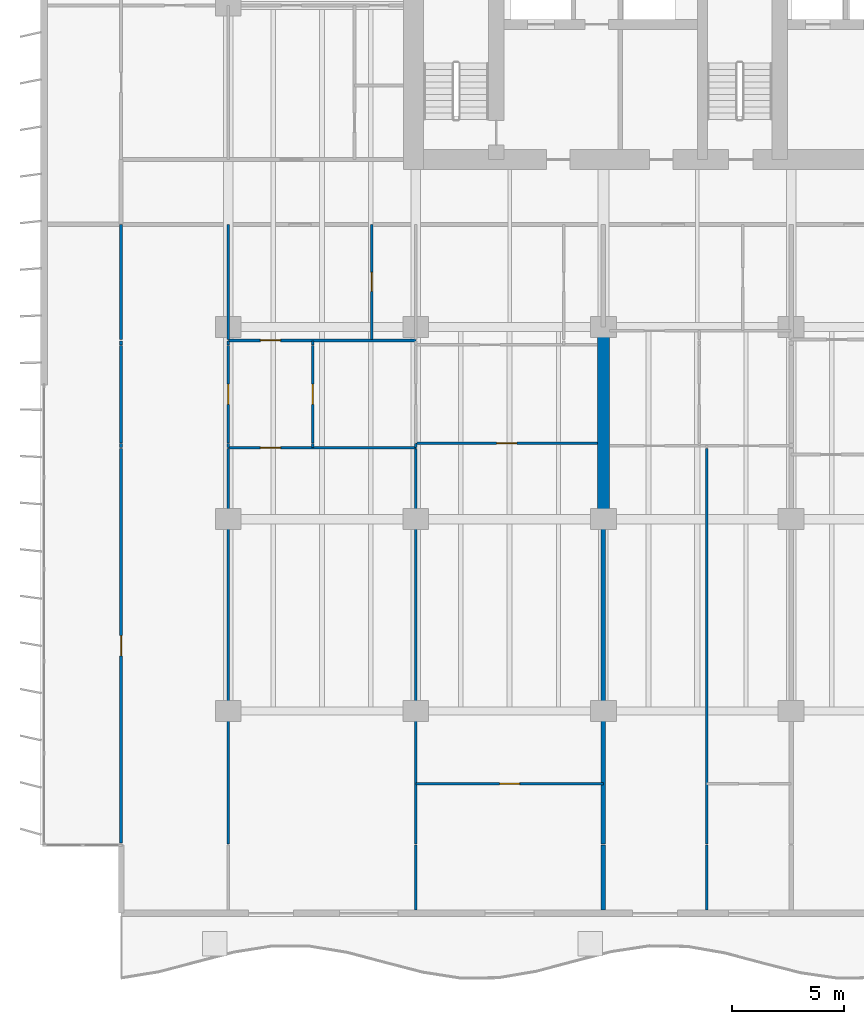
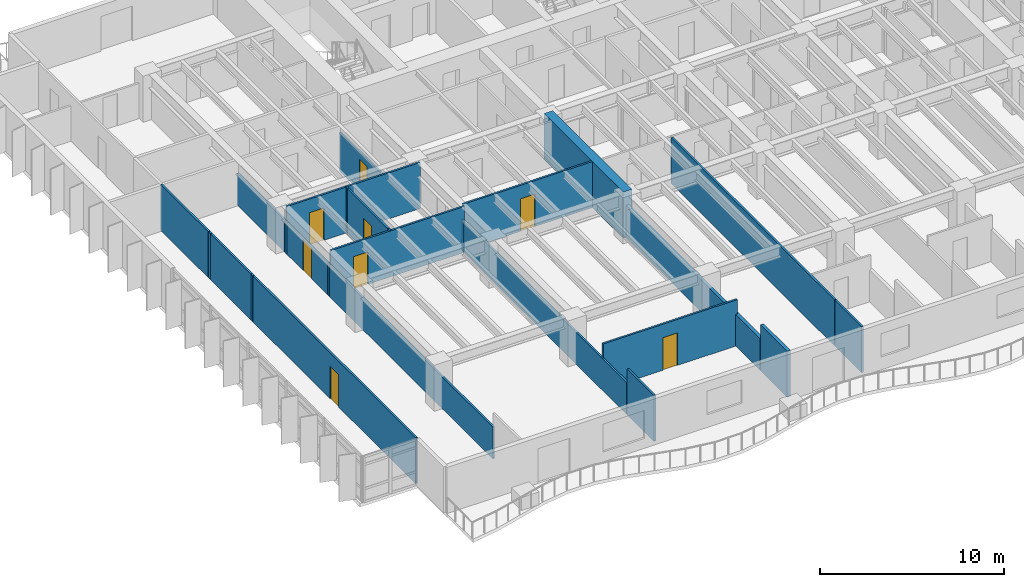
# One storey, part 6 of 18: 26 walls, 8 doors, 8 openings.
"""IFC4 building model written with IfcOpenShell, lengths in metres."""

from ifc_helpers import new_model, si_unit, direction, frame, frame_2d, origin, place, context, subcontext, project, spatial, rectangle, extrude, material, layer, layer_set, type_object, element, fill, save


model = new_model("IFC4")

# Units and contexts
model_context = context("Model", 3, precision=1e-05, world=origin(), true_north=direction((0.0, 1.0)))
body_context = subcontext(model_context, "Body", "Model", "MODEL_VIEW")
ifc_project = project(units=[si_unit("LENGTHUNIT", "METRE"), si_unit("AREAUNIT", "SQUARE_METRE"), si_unit("VOLUMEUNIT", "CUBIC_METRE"), si_unit("PLANEANGLEUNIT", "RADIAN"), si_unit("MASSUNIT", "GRAM", prefix="KILO")], contexts=[model_context])

# Site, building, storey
site_placement = place(None, origin())
site = spatial("IfcSite", under=ifc_project, at=site_placement, CompositionType="ELEMENT")
building_placement = place(site_placement, origin())
building = spatial("IfcBuilding", under=site, at=building_placement, Name="Caelmar Bay Residences", CompositionType="ELEMENT")
storey_placement = place(building_placement, frame((0.0, 0.0, 39.89990234375)))
storey = spatial("IfcBuildingStorey", under=building, at=storey_placement, Name="L09", CompositionType="ELEMENT", Elevation=39.89990234375)

# Wall
ifc_material_1 = material(Name="Concrete f'c 70 MPa (10,000 psi)", Category="concrete")
ifc_layer_1 = layer(ifc_material_1, 0.550048828125)
ifc_layer_set_1 = layer_set([ifc_layer_1], Name="Concrete f'c 70 MPa (10,000 psi)")
wall_type_1 = type_object("IfcWallType", Name="SW-XSLB-550", PredefinedType="SHEAR", material=ifc_layer_set_1)
wall_1_placement = place(storey_placement, frame((26.699951171875, 20.800048828125, 0.0), z_axis=(0.0, 0.0, 1.0), x_axis=(0.0, 1.0, 0.0)))
element("IfcWall", 1, at=wall_1_placement, inside=storey, type_object=wall_type_1, Name="L09 Transverse Cross-Slab Shear Wall W5", PredefinedType="SHEAR", context=body_context, shape_type="SweptSolid", body=[
    extrude(rectangle(XDim=8.599853515625, YDim=0.550048828125, at=frame_2d((4.2998046875, 0.0))), origin(), (0.0, 0.0, 1.0), 3.050048828125),
])

# Wall, opening, door
ifc_material_2 = material(Name="Acoustic metal-stud gypsum partition 120 mm")
ifc_layer_2 = layer(ifc_material_2, 0.1201171875)
ifc_layer_set_2 = layer_set([ifc_layer_2], Name="Acoustic metal-stud gypsum partition 120 mm")
wall_type_2 = type_object("IfcWallType", Name="W-PRT-120", PredefinedType="PARTITIONING", material=ifc_layer_set_2)
wall_2_placement = place(storey_placement, frame((5.10009765625, 6.284912109375, 0.0), z_axis=(0.0, 0.0, 1.0), x_axis=(0.0, 1.0, 0.0)))
wall_2 = element("IfcWall", 2, at=wall_2_placement, inside=storey, type_object=wall_type_2, Name="L09 Partition Wall V001", PredefinedType="PARTITIONING", context=body_context, shape_type="SweptSolid", body=[
    extrude(rectangle(XDim=17.68505859375, YDim=0.1201171875, at=frame_2d((8.842529296875, 0.0))), origin(), (0.0, 0.0, 1.0), 3.050048828125),
])
opening_1_placement = place(wall_2_placement, frame((8.392578125, 0.0, 0.0)))
opening_1 = element("IfcOpeningElement", 3, at=opening_1_placement, cuts=wall_2, Name="Opening D-L09-164", PredefinedType="OPENING", context=body_context, shape_type="SweptSolid", body=[
    extrude(rectangle(XDim=0.89990234375, YDim=2.14990234375, at=frame_2d((0.449951171875, 1.074951171875))), frame((0.0, 0.070068359375, 0.0), z_axis=(0.0, -1.0, 0.0), x_axis=(1.0, 0.0, 0.0)), (0.0, 0.0, 1.0), 0.14013671875),
])
ifc_material_3 = material(Name="Solid walnut timber interior door leaf and frame", Category="wood")
ifc_layer_3 = layer(ifc_material_3, 0.050048828125)
ifc_layer_set_3 = layer_set([ifc_layer_3], Name="Solid walnut timber interior door leaf and frame")
door_type_1 = type_object("IfcDoorType", Name="D-ROOM-900", OperationType="NOTDEFINED", PredefinedType="DOOR", material=ifc_layer_set_3)
door_1_placement = place(opening_1_placement, origin())
door_1 = element("IfcDoor", 4, at=door_1_placement, inside=storey, type_object=door_type_1, Name="L09 Residence 01 Penthouse West Salon Door", OperationType="SINGLE_SWING_LEFT", OverallHeight=2.14990234375, OverallWidth=0.89990234375, PredefinedType="DOOR", context=body_context, shape_type="SweptSolid", body=[
    extrude(rectangle(XDim=0.89990234375, YDim=2.14990234375, at=frame_2d((0.449951171875, 1.074951171875))), frame((0.0, 0.02490234375, 0.0), z_axis=(0.0, -1.0, 0.0), x_axis=(1.0, 0.0, 0.0)), (0.0, 0.0, 1.0), 0.050048828125),
])
fill(opening_1, door_1)

# Walls
wall_3_placement = place(storey_placement, frame((5.10009765625, 24.0, 0.0), z_axis=(0.0, 0.0, 1.0), x_axis=(0.0, 1.0, 0.0)))
element("IfcWall", 5, at=wall_3_placement, inside=storey, type_object=wall_type_2, Name="L09 Partition Wall V002", PredefinedType="PARTITIONING", context=body_context, shape_type="SweptSolid", body=[
    extrude(rectangle(XDim=0.179931640625, YDim=0.1201171875, at=frame_2d((0.08984375, 0.0))), origin(), (0.0, 0.0, 1.0), 3.050048828125),
])
wall_4_placement = place(storey_placement, frame((5.10009765625, 24.199951171875, 0.0), z_axis=(0.0, 0.0, 1.0), x_axis=(0.0, 1.0, 0.0)))
element("IfcWall", 6, at=wall_4_placement, inside=storey, type_object=wall_type_2, Name="L09 Partition Wall V003", PredefinedType="PARTITIONING", context=body_context, shape_type="SweptSolid", body=[
    extrude(rectangle(XDim=4.380126953125, YDim=0.1201171875, at=frame_2d((2.18994140625, 0.0))), origin(), (0.0, 0.0, 1.0), 3.050048828125),
])
wall_5_placement = place(storey_placement, frame((5.10009765625, 28.60009765625, 0.0), z_axis=(0.0, 0.0, 1.0), x_axis=(0.0, 1.0, 0.0)))
element("IfcWall", 7, at=wall_5_placement, inside=storey, type_object=wall_type_2, Name="L09 Partition Wall V004", PredefinedType="PARTITIONING", context=body_context, shape_type="SweptSolid", body=[
    extrude(rectangle(XDim=0.179931640625, YDim=0.1201171875, at=frame_2d((0.08984375, 0.0))), origin(), (0.0, 0.0, 1.0), 3.050048828125),
])
wall_6_placement = place(storey_placement, frame((5.10009765625, 28.840087890625, 0.0), z_axis=(0.0, 0.0, 1.0), x_axis=(0.0, 1.0, 0.0)))
element("IfcWall", 8, at=wall_6_placement, inside=storey, type_object=wall_type_2, Name="L09 Partition Wall V005", PredefinedType="PARTITIONING", context=body_context, shape_type="SweptSolid", body=[
    extrude(rectangle(XDim=5.159912109375, YDim=0.1201171875, at=frame_2d((2.580078125, 0.0))), origin(), (0.0, 0.0, 1.0), 3.050048828125),
])
wall_7_placement = place(storey_placement, frame((9.89990234375, 6.239990234375, 0.0), z_axis=(0.0, 0.0, 1.0), x_axis=(0.0, 1.0, 0.0)))
element("IfcWall", 9, at=wall_7_placement, inside=storey, type_object=wall_type_2, Name="L09 Partition Wall V009", PredefinedType="PARTITIONING", context=body_context, shape_type="SweptSolid", body=[
    extrude(rectangle(XDim=17.72998046875, YDim=0.1201171875, at=frame_2d((8.864990234375, 0.0))), origin(), (0.0, 0.0, 1.0), 2.110107421875),
])
wall_8_placement = place(storey_placement, frame((9.89990234375, 24.0, 0.0), z_axis=(0.0, 0.0, 1.0), x_axis=(0.0, 1.0, 0.0)))
element("IfcWall", 10, at=wall_8_placement, inside=storey, type_object=wall_type_2, Name="L09 Partition Wall V010", PredefinedType="PARTITIONING", context=body_context, shape_type="SweptSolid", body=[
    extrude(rectangle(XDim=0.179931640625, YDim=0.1201171875, at=frame_2d((0.08984375, 0.0))), origin(), (0.0, 0.0, 1.0), 2.110107421875),
])

# Wall, opening, door
wall_9_placement = place(storey_placement, frame((9.89990234375, 24.199951171875, 0.0), z_axis=(0.0, 0.0, 1.0), x_axis=(0.0, 1.0, 0.0)))
wall_9 = element("IfcWall", 11, at=wall_9_placement, inside=storey, type_object=wall_type_2, Name="L09 Partition Wall V011", PredefinedType="PARTITIONING", context=body_context, shape_type="SweptSolid", body=[
    extrude(rectangle(XDim=4.380126953125, YDim=0.1201171875, at=frame_2d((2.18994140625, 0.0))), origin(), (0.0, 0.0, 1.0), 2.110107421875),
])
opening_2_placement = place(wall_9_placement, frame((1.739990234375, 0.0, 0.0)))
opening_2 = element("IfcOpeningElement", 12, at=opening_2_placement, cuts=wall_9, Name="Opening D-L09-131", PredefinedType="OPENING", context=body_context, shape_type="SweptSolid", body=[
    extrude(rectangle(XDim=0.89990234375, YDim=2.06005859375, at=frame_2d((0.449951171875, 1.030029296875))), frame((0.0, 0.070068359375, 0.0), z_axis=(0.0, -1.0, 0.0), x_axis=(1.0, 0.0, 0.0)), (0.0, 0.0, 1.0), 0.14013671875),
])
door_2_placement = place(opening_2_placement, origin())
door_2 = element("IfcDoor", 13, at=door_2_placement, inside=storey, type_object=door_type_1, Name="L09 Residence 01 West Apartment Hall Door", OperationType="SINGLE_SWING_RIGHT", OverallHeight=2.06005859375, OverallWidth=0.89990234375, PredefinedType="DOOR", context=body_context, shape_type="SweptSolid", body=[
    extrude(rectangle(XDim=0.89990234375, YDim=2.06005859375, at=frame_2d((0.449951171875, 1.030029296875))), frame((0.0, 0.02490234375, 0.0), z_axis=(0.0, -1.0, 0.0), x_axis=(1.0, 0.0, 0.0)), (0.0, 0.0, 1.0), 0.050048828125),
])
fill(opening_2, door_2)

# Walls
wall_10_placement = place(storey_placement, frame((9.89990234375, 28.60009765625, 0.0), z_axis=(0.0, 0.0, 1.0), x_axis=(0.0, 1.0, 0.0)))
element("IfcWall", 14, at=wall_10_placement, inside=storey, type_object=wall_type_2, Name="L09 Partition Wall V012", PredefinedType="PARTITIONING", context=body_context, shape_type="SweptSolid", body=[
    extrude(rectangle(XDim=0.179931640625, YDim=0.1201171875, at=frame_2d((0.08984375, 0.0))), origin(), (0.0, 0.0, 1.0), 2.110107421875),
])
wall_11_placement = place(storey_placement, frame((9.89990234375, 28.840087890625, 0.0), z_axis=(0.0, 0.0, 1.0), x_axis=(0.0, 1.0, 0.0)))
element("IfcWall", 15, at=wall_11_placement, inside=storey, type_object=wall_type_2, Name="L09 Partition Wall V013", PredefinedType="PARTITIONING", context=body_context, shape_type="SweptSolid", body=[
    extrude(rectangle(XDim=5.159912109375, YDim=0.1201171875, at=frame_2d((2.580078125, 0.0))), origin(), (0.0, 0.0, 1.0), 2.110107421875),
])
wall_12_placement = place(storey_placement, frame((13.679931640625, 24.0, 0.0), z_axis=(0.0, 0.0, 1.0), x_axis=(0.0, 1.0, 0.0)))
element("IfcWall", 16, at=wall_12_placement, inside=storey, type_object=wall_type_2, Name="L09 Partition Wall V015", PredefinedType="PARTITIONING", context=body_context, shape_type="SweptSolid", body=[
    extrude(rectangle(XDim=0.179931640625, YDim=0.1201171875, at=frame_2d((0.08984375, 0.0))), origin(), (0.0, 0.0, 1.0), 3.050048828125),
])

# Wall, opening, door
wall_13_placement = place(storey_placement, frame((13.679931640625, 24.199951171875, 0.0), z_axis=(0.0, 0.0, 1.0), x_axis=(0.0, 1.0, 0.0)))
wall_13 = element("IfcWall", 17, at=wall_13_placement, inside=storey, type_object=wall_type_2, Name="L09 Partition Wall V016", PredefinedType="PARTITIONING", context=body_context, shape_type="SweptSolid", body=[
    extrude(rectangle(XDim=4.380126953125, YDim=0.1201171875, at=frame_2d((2.18994140625, 0.0))), origin(), (0.0, 0.0, 1.0), 3.050048828125),
])
opening_3_placement = place(wall_13_placement, frame((1.739990234375, 0.0, 0.0)))
opening_3 = element("IfcOpeningElement", 18, at=opening_3_placement, cuts=wall_13, Name="Opening D-L09-124", PredefinedType="OPENING", context=body_context, shape_type="SweptSolid", body=[
    extrude(rectangle(XDim=0.89990234375, YDim=2.14990234375, at=frame_2d((0.449951171875, 1.074951171875))), frame((0.0, 0.070068359375, 0.0), z_axis=(0.0, -1.0, 0.0), x_axis=(1.0, 0.0, 0.0)), (0.0, 0.0, 1.0), 0.14013671875),
])
door_3_placement = place(opening_3_placement, origin())
door_3 = element("IfcDoor", 19, at=door_3_placement, inside=storey, type_object=door_type_1, Name="L09 Residence 01 Kitchen Door", OperationType="SINGLE_SWING_LEFT", OverallHeight=2.14990234375, OverallWidth=0.89990234375, PredefinedType="DOOR", context=body_context, shape_type="SweptSolid", body=[
    extrude(rectangle(XDim=0.89990234375, YDim=2.14990234375, at=frame_2d((0.449951171875, 1.074951171875))), frame((0.0, 0.02490234375, 0.0), z_axis=(0.0, -1.0, 0.0), x_axis=(1.0, 0.0, 0.0)), (0.0, 0.0, 1.0), 0.050048828125),
])
fill(opening_3, door_3)

# Wall
wall_14_placement = place(storey_placement, frame((13.679931640625, 28.60009765625, 0.0), z_axis=(0.0, 0.0, 1.0), x_axis=(0.0, 1.0, 0.0)))
element("IfcWall", 20, at=wall_14_placement, inside=storey, type_object=wall_type_2, Name="L09 Partition Wall V017", PredefinedType="PARTITIONING", context=body_context, shape_type="SweptSolid", body=[
    extrude(rectangle(XDim=0.179931640625, YDim=0.1201171875, at=frame_2d((0.08984375, 0.0))), origin(), (0.0, 0.0, 1.0), 3.050048828125),
])

# Wall, opening, door
wall_15_placement = place(storey_placement, frame((16.319091796875, 28.840087890625, 0.0), z_axis=(0.0, 0.0, 1.0), x_axis=(0.0, 1.0, 0.0)))
wall_15 = element("IfcWall", 21, at=wall_15_placement, inside=storey, type_object=wall_type_2, Name="L09 Partition Wall V019", PredefinedType="PARTITIONING", context=body_context, shape_type="SweptSolid", body=[
    extrude(rectangle(XDim=5.159912109375, YDim=0.1201171875, at=frame_2d((2.580078125, 0.0))), origin(), (0.0, 0.0, 1.0), 2.578125),
])
opening_4_placement = place(wall_15_placement, frame((2.155029296875, 0.0, 0.0)))
opening_4 = element("IfcOpeningElement", 22, at=opening_4_placement, cuts=wall_15, Name="Opening D-L09-122", PredefinedType="OPENING", context=body_context, shape_type="SweptSolid", body=[
    extrude(rectangle(XDim=0.85009765625, YDim=2.10009765625, at=frame_2d((0.425048828125, 1.050048828125))), frame((0.0, 0.070068359375, 0.0), z_axis=(0.0, -1.0, 0.0), x_axis=(1.0, 0.0, 0.0)), (0.0, 0.0, 1.0), 0.14013671875),
])
ifc_layer_4 = layer(ifc_material_3, 0.050048828125)
ifc_layer_set_4 = layer_set([ifc_layer_4], Name="Solid walnut timber interior door leaf and frame")
door_type_2 = type_object("IfcDoorType", Name="D-BATH-850", OperationType="NOTDEFINED", PredefinedType="DOOR", material=ifc_layer_set_4)
door_4_placement = place(opening_4_placement, origin())
door_4 = element("IfcDoor", 23, at=door_4_placement, inside=storey, type_object=door_type_2, Name="L09 Residence 01 Guest Bathroom Door", OperationType="SINGLE_SWING_LEFT", OverallHeight=2.10009765625, OverallWidth=0.85009765625, PredefinedType="DOOR", context=body_context, shape_type="SweptSolid", body=[
    extrude(rectangle(XDim=0.85009765625, YDim=2.10009765625, at=frame_2d((0.425048828125, 1.050048828125))), frame((0.0, 0.02490234375, 0.0), z_axis=(0.0, -1.0, 0.0), x_axis=(1.0, 0.0, 0.0)), (0.0, 0.0, 1.0), 0.050048828125),
])
fill(opening_4, door_4)

# Walls
wall_16_placement = place(storey_placement, frame((18.300048828125, 3.294921875, 0.0), z_axis=(0.0, 0.0, 1.0), x_axis=(0.0, 1.0, 0.0)))
element("IfcWall", 24, at=wall_16_placement, inside=storey, type_object=wall_type_2, Name="L09 Partition Wall V020", PredefinedType="PARTITIONING", context=body_context, shape_type="SweptSolid", body=[
    extrude(rectangle(XDim=2.905029296875, YDim=0.1201171875, at=frame_2d((1.45263671875, 0.0))), origin(), (0.0, 0.0, 1.0), 3.050048828125),
])
wall_17_placement = place(storey_placement, frame((18.300048828125, 6.239990234375, 0.0), z_axis=(0.0, 0.0, 1.0), x_axis=(0.0, 1.0, 0.0)))
element("IfcWall", 25, at=wall_17_placement, inside=storey, type_object=wall_type_2, Name="L09 Partition Wall V021", PredefinedType="PARTITIONING", context=body_context, shape_type="SweptSolid", body=[
    extrude(rectangle(XDim=17.72998046875, YDim=0.1201171875, at=frame_2d((8.864990234375, 0.0))), origin(), (0.0, 0.0, 1.0), 2.110107421875),
])
wall_18_placement = place(storey_placement, frame((18.300048828125, 24.0, 0.0), z_axis=(0.0, 0.0, 1.0), x_axis=(0.0, 1.0, 0.0)))
element("IfcWall", 26, at=wall_18_placement, inside=storey, type_object=wall_type_2, Name="L09 Partition Wall V022", PredefinedType="PARTITIONING", context=body_context, shape_type="SweptSolid", body=[
    extrude(rectangle(XDim=0.179931640625, YDim=0.1201171875, at=frame_2d((0.08984375, 0.0))), origin(), (0.0, 0.0, 1.0), 2.110107421875),
])
wall_19_placement = place(storey_placement, frame((31.320068359375, 3.294921875, 0.0), z_axis=(0.0, 0.0, 1.0), x_axis=(0.0, 1.0, 0.0)))
element("IfcWall", 27, at=wall_19_placement, inside=storey, type_object=wall_type_2, Name="L09 Partition Wall V039", PredefinedType="PARTITIONING", context=body_context, shape_type="SweptSolid", body=[
    extrude(rectangle(XDim=2.905029296875, YDim=0.1201171875, at=frame_2d((1.45263671875, 0.0))), origin(), (0.0, 0.0, 1.0), 3.050048828125),
])
wall_20_placement = place(storey_placement, frame((31.320068359375, 6.239990234375, 0.0), z_axis=(0.0, 0.0, 1.0), x_axis=(0.0, 1.0, 0.0)))
element("IfcWall", 28, at=wall_20_placement, inside=storey, type_object=wall_type_2, Name="L09 Partition Wall V040", PredefinedType="PARTITIONING", context=body_context, shape_type="SweptSolid", body=[
    extrude(rectangle(XDim=17.72998046875, YDim=0.1201171875, at=frame_2d((8.864990234375, 0.0))), origin(), (0.0, 0.0, 1.0), 3.050048828125),
])

# Wall, opening, door
wall_21_placement = place(storey_placement, frame((18.300048828125, 8.949951171875, 0.0), z_axis=(0.0, 0.0, 1.0), x_axis=(1.0, 0.0, 0.0)))
wall_21 = element("IfcWall", 29, at=wall_21_placement, inside=storey, type_object=wall_type_2, Name="L09 Partition Wall H112", PredefinedType="PARTITIONING", context=body_context, shape_type="SweptSolid", body=[
    extrude(rectangle(XDim=8.39990234375, YDim=0.1201171875, at=frame_2d((4.199951171875, 0.0))), origin(), (0.0, 0.0, 1.0), 3.050048828125),
])
opening_5_placement = place(wall_21_placement, frame((3.75, 0.0, 0.0)))
opening_5 = element("IfcOpeningElement", 30, at=opening_5_placement, cuts=wall_21, Name="Opening D-L09-130", PredefinedType="OPENING", context=body_context, shape_type="SweptSolid", body=[
    extrude(rectangle(XDim=0.89990234375, YDim=2.14990234375, at=frame_2d((0.449951171875, 1.074951171875))), frame((0.0, 0.070068359375, 0.0), z_axis=(0.0, -1.0, 0.0), x_axis=(1.0, 0.0, 0.0)), (0.0, 0.0, 1.0), 0.14013671875),
])
door_5_placement = place(opening_5_placement, origin())
door_5 = element("IfcDoor", 31, at=door_5_placement, inside=storey, type_object=door_type_1, Name="L09 Residence 01 Primary Bedroom 1 Door", OperationType="SINGLE_SWING_LEFT", OverallHeight=2.14990234375, OverallWidth=0.89990234375, PredefinedType="DOOR", context=body_context, shape_type="SweptSolid", body=[
    extrude(rectangle(XDim=0.89990234375, YDim=2.14990234375, at=frame_2d((0.449951171875, 1.074951171875))), frame((0.0, 0.02490234375, 0.0), z_axis=(0.0, -1.0, 0.0), x_axis=(1.0, 0.0, 0.0)), (0.0, 0.0, 1.0), 0.050048828125),
])
fill(opening_5, door_5)

wall_22_placement = place(storey_placement, frame((9.89990234375, 24.0, 0.0), z_axis=(0.0, 0.0, 1.0), x_axis=(1.0, 0.0, 0.0)))
wall_22 = element("IfcWall", 32, at=wall_22_placement, inside=storey, type_object=wall_type_2, Name="L09 Partition Wall H120", PredefinedType="PARTITIONING", context=body_context, shape_type="SweptSolid", body=[
    extrude(rectangle(XDim=8.400146484375, YDim=0.1201171875, at=frame_2d((4.2001953125, 0.0))), origin(), (0.0, 0.0, 1.0), 3.050048828125),
])
opening_6_placement = place(wall_22_placement, frame((1.43994140625, 0.0, 0.0)))
opening_6 = element("IfcOpeningElement", 33, at=opening_6_placement, cuts=wall_22, Name="Opening D-L09-125", PredefinedType="OPENING", context=body_context, shape_type="SweptSolid", body=[
    extrude(rectangle(XDim=0.89990234375, YDim=2.14990234375, at=frame_2d((0.449951171875, 1.074951171875))), frame((0.0, 0.070068359375, 0.0), z_axis=(0.0, -1.0, 0.0), x_axis=(1.0, 0.0, 0.0)), (0.0, 0.0, 1.0), 0.14013671875),
])
door_6_placement = place(opening_6_placement, origin())
door_6 = element("IfcDoor", 34, at=door_6_placement, inside=storey, type_object=door_type_1, Name="L09 Residence 01 Penthouse Living Salon Door", OperationType="SINGLE_SWING_RIGHT", OverallHeight=2.14990234375, OverallWidth=0.89990234375, PredefinedType="DOOR", context=body_context, shape_type="SweptSolid", body=[
    extrude(rectangle(XDim=0.89990234375, YDim=2.14990234375, at=frame_2d((0.449951171875, 1.074951171875))), frame((0.0, 0.02490234375, 0.0), z_axis=(0.0, -1.0, 0.0), x_axis=(1.0, 0.0, 0.0)), (0.0, 0.0, 1.0), 0.050048828125),
])
fill(opening_6, door_6)

wall_23_placement = place(storey_placement, frame((18.304931640625, 24.199951171875, 0.0), z_axis=(0.0, 0.0, 1.0), x_axis=(1.0, 0.0, 0.0)))
wall_23 = element("IfcWall", 35, at=wall_23_placement, inside=storey, type_object=wall_type_2, Name="L09 Partition Wall H123", PredefinedType="PARTITIONING", context=body_context, shape_type="SweptSolid", body=[
    extrude(rectangle(XDim=8.125, YDim=0.1201171875, at=frame_2d((4.0625, 0.0))), origin(), (0.0, 0.0, 1.0), 3.050048828125),
])
opening_7_placement = place(wall_23_placement, frame((3.612548828125, 0.0, 0.0)))
opening_7 = element("IfcOpeningElement", 36, at=opening_7_placement, cuts=wall_23, Name="Opening D-L09-129", PredefinedType="OPENING", context=body_context, shape_type="SweptSolid", body=[
    extrude(rectangle(XDim=0.89990234375, YDim=2.14990234375, at=frame_2d((0.449951171875, 1.074951171875))), frame((0.0, 0.070068359375, 0.0), z_axis=(0.0, -1.0, 0.0), x_axis=(1.0, 0.0, 0.0)), (0.0, 0.0, 1.0), 0.14013671875),
])
door_7_placement = place(opening_7_placement, origin())
door_7 = element("IfcDoor", 37, at=door_7_placement, inside=storey, type_object=door_type_1, Name="L09 Residence 01 Penthouse Sitting Salon 1 Door", OperationType="SINGLE_SWING_RIGHT", OverallHeight=2.14990234375, OverallWidth=0.89990234375, PredefinedType="DOOR", context=body_context, shape_type="SweptSolid", body=[
    extrude(rectangle(XDim=0.89990234375, YDim=2.14990234375, at=frame_2d((0.449951171875, 1.074951171875))), frame((0.0, 0.02490234375, 0.0), z_axis=(0.0, -1.0, 0.0), x_axis=(1.0, 0.0, 0.0)), (0.0, 0.0, 1.0), 0.050048828125),
])
fill(opening_7, door_7)

wall_24_placement = place(storey_placement, frame((9.89990234375, 28.800048828125, 0.0), z_axis=(0.0, 0.0, 1.0), x_axis=(1.0, 0.0, 0.0)))
wall_24 = element("IfcWall", 38, at=wall_24_placement, inside=storey, type_object=wall_type_2, Name="L09 Partition Wall H127", PredefinedType="PARTITIONING", context=body_context, shape_type="SweptSolid", body=[
    extrude(rectangle(XDim=8.39501953125, YDim=0.1201171875, at=frame_2d((4.197509765625, 0.0))), origin(), (0.0, 0.0, 1.0), 3.050048828125),
])
opening_8_placement = place(wall_24_placement, frame((1.43994140625, 0.0, 0.0)))
opening_8 = element("IfcOpeningElement", 39, at=opening_8_placement, cuts=wall_24, Name="Opening D-L09-123", PredefinedType="OPENING", context=body_context, shape_type="SweptSolid", body=[
    extrude(rectangle(XDim=0.89990234375, YDim=2.14990234375, at=frame_2d((0.449951171875, 1.074951171875))), frame((0.0, 0.070068359375, 0.0), z_axis=(0.0, -1.0, 0.0), x_axis=(1.0, 0.0, 0.0)), (0.0, 0.0, 1.0), 0.14013671875),
])
door_8_placement = place(opening_8_placement, origin())
door_8 = element("IfcDoor", 40, at=door_8_placement, inside=storey, type_object=door_type_1, Name="L09 Residence 01 Dining Room Door", OperationType="SINGLE_SWING_RIGHT", OverallHeight=2.14990234375, OverallWidth=0.89990234375, PredefinedType="DOOR", context=body_context, shape_type="SweptSolid", body=[
    extrude(rectangle(XDim=0.89990234375, YDim=2.14990234375, at=frame_2d((0.449951171875, 1.074951171875))), frame((0.0, 0.02490234375, 0.0), z_axis=(0.0, -1.0, 0.0), x_axis=(1.0, 0.0, 0.0)), (0.0, 0.0, 1.0), 0.050048828125),
])
fill(opening_8, door_8)

# Walls
ifc_material_4 = material(Name="Acoustic twin-stud fire-rated inter-tenancy partition 200 mm")
ifc_layer_5 = layer(ifc_material_4, 0.199951171875)
ifc_layer_set_5 = layer_set([ifc_layer_5], Name="Acoustic twin-stud fire-rated inter-tenancy partition 200 mm")
wall_type_3 = type_object("IfcWallType", Name="W-PTY-200", PredefinedType="PARTITIONING", material=ifc_layer_set_5)
wall_25_placement = place(storey_placement, frame((26.699951171875, 3.294921875, 0.0), z_axis=(0.0, 0.0, 1.0), x_axis=(0.0, 1.0, 0.0)))
element("IfcWall", 41, at=wall_25_placement, inside=storey, type_object=wall_type_3, Name="L09 Partition Wall V030", PredefinedType="PARTITIONING", context=body_context, shape_type="SweptSolid", body=[
    extrude(rectangle(XDim=2.905029296875, YDim=0.199951171875, at=frame_2d((1.45263671875, 0.0))), origin(), (0.0, 0.0, 1.0), 3.050048828125),
])
wall_26_placement = place(storey_placement, frame((26.699951171875, 6.239990234375, 0.0), z_axis=(0.0, 0.0, 1.0), x_axis=(0.0, 1.0, 0.0)))
element("IfcWall", 42, at=wall_26_placement, inside=storey, type_object=wall_type_3, Name="L09 Partition Wall V031", PredefinedType="PARTITIONING", context=body_context, shape_type="SweptSolid", body=[
    extrude(rectangle(XDim=14.554931640625, YDim=0.199951171875, at=frame_2d((7.27734375, 0.0))), origin(), (0.0, 0.0, 1.0), 2.110107421875),
])

save(model, "model.ifc")
